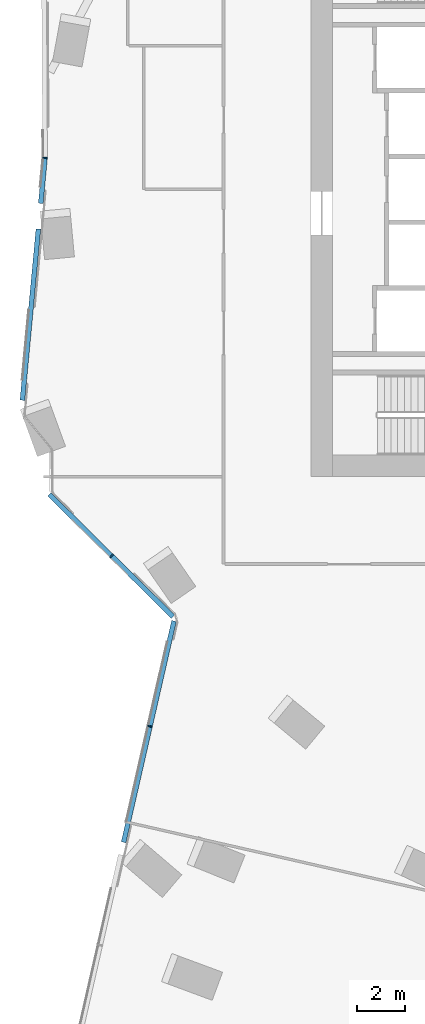
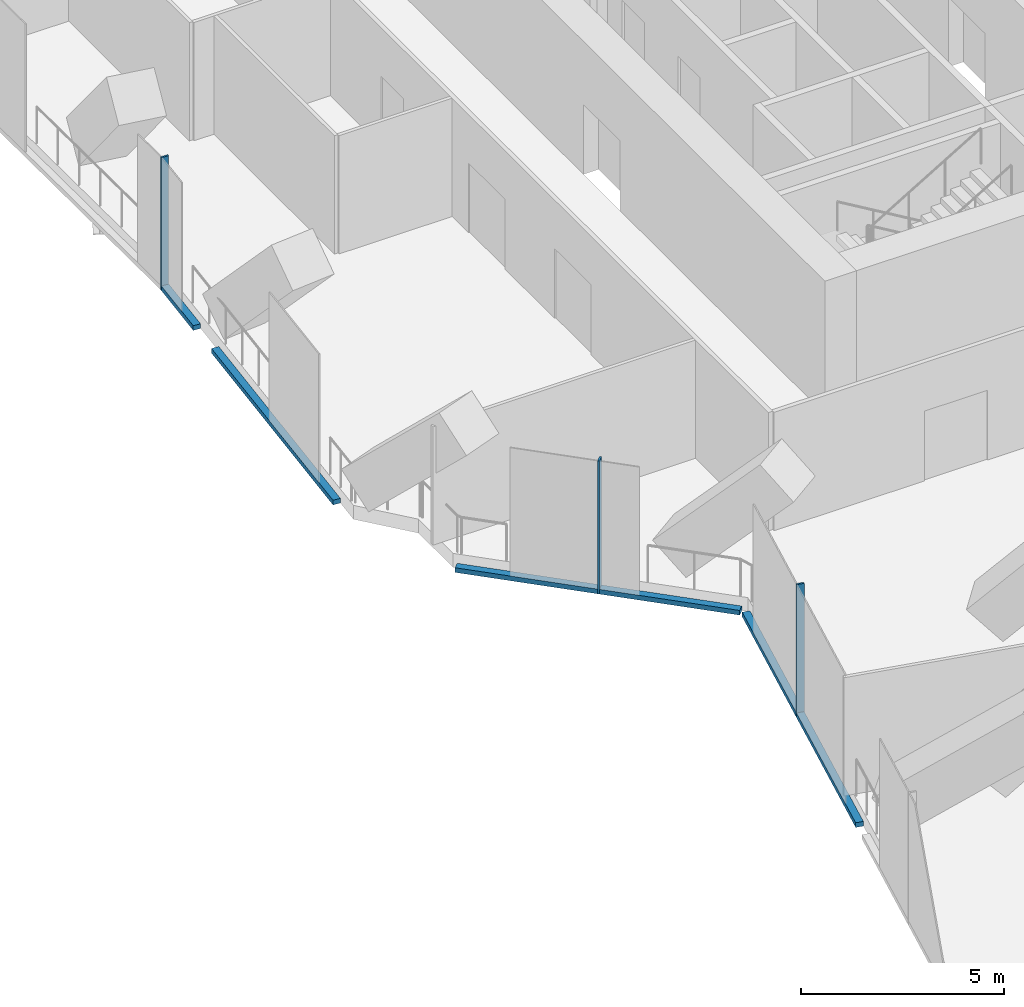
# One storey, part 6 of 29: 7 members, 4 elements without a shape of their own.
"""IFC4 building model written with IfcOpenShell, lengths in metres."""

from ifc_helpers import new_model, si_unit, direction, frame, origin, origin_2d, place, context, subcontext, project, spatial, rectangle, extrude, material, material_profile, profile_set, type_object, element, aggregate, save


model = new_model("IFC4")

# Units and contexts
model_context = context("Model", 3, precision=1e-05, world=origin(), true_north=direction((0.0, 1.0)))
body_context = subcontext(model_context, "Body", "Model", "MODEL_VIEW")
ifc_project = project(units=[si_unit("LENGTHUNIT", "METRE"), si_unit("AREAUNIT", "SQUARE_METRE"), si_unit("VOLUMEUNIT", "CUBIC_METRE"), si_unit("PLANEANGLEUNIT", "RADIAN"), si_unit("MASSUNIT", "GRAM", prefix="KILO")], contexts=[model_context])

# Site, building, storey
site_placement = place(None, origin())
site = spatial("IfcSite", under=ifc_project, at=site_placement, CompositionType="ELEMENT")
building_placement = place(site_placement, origin())
building = spatial("IfcBuilding", under=site, at=building_placement, Name="Orlundy Tower", CompositionType="ELEMENT")
storey_placement = place(building_placement, frame((0.0, 0.0, 184.60009765625)))
storey = spatial("IfcBuildingStorey", under=building, at=storey_placement, Name="L48", CompositionType="ELEMENT", Elevation=184.60009765625)

# Curtain wall, member
ifc_material_1 = material(Name="Aluminium bronze anodised", Category="aluminium")
curtain_wall_type = type_object("IfcCurtainWallType", Name="CW5 wall", PredefinedType="NOTDEFINED", material=ifc_material_1)
curtain_wall_1_placement = place(storey_placement, origin())
curtain_wall_1 = element("IfcCurtainWall", 1, at=curtain_wall_1_placement, inside=storey, type_object=curtain_wall_type, Name="CW5 run 00", PredefinedType="NOTDEFINED")
ifc_material_2 = material(Name="Aluminium bronze anodised", Category="aluminium")
ifc_material_profile_1 = material_profile(ifc_material_2, rectangle(XDim=0.199951171875, YDim=0.050048828125, at=origin_2d()), Name="CW5 mullion 50x200")
ifc_profile_set_1 = profile_set([ifc_material_profile_1], Name="Aluminium bronze anodised")
member_type_1 = type_object("IfcMemberType", Name="CW5 mullion 50x200", PredefinedType="MULLION", material=ifc_profile_set_1)
member_1_placement = place(storey_placement, frame((-27.326904296875, -15.3115234375, -0.420166015625), z_axis=(0.0, 0.0, 1.0), x_axis=(-0.702966683087, -0.711222779774, 0.0)))
member_1 = element("IfcMember", 2, at=member_1_placement, type_object=member_type_1, Name="CW5 mullion 2", PredefinedType="MULLION", context=body_context, shape_type="SweptSolid", body=[
    extrude(rectangle(XDim=0.199951171875, YDim=0.050048828125, at=origin_2d()), origin(), (0.0, 0.0, 1.0), 4.0),
])

curtain_wall_2_placement = place(storey_placement, origin())
curtain_wall_2 = element("IfcCurtainWall", 3, at=curtain_wall_2_placement, inside=storey, type_object=curtain_wall_type, Name="CW5 run 04", PredefinedType="NOTDEFINED")
member_2_placement = place(storey_placement, frame((-30.10791015625, 1.3134765625, -0.420166015625), z_axis=(0.0, 0.0, 1.0), x_axis=(-0.999048702031, 0.043608381888, 0.0)))
member_2 = element("IfcMember", 4, at=member_2_placement, type_object=member_type_1, Name="CW5 mullion 7", PredefinedType="MULLION", context=body_context, shape_type="SweptSolid", body=[
    extrude(rectangle(XDim=0.199951171875, YDim=0.050048828125, at=origin_2d()), origin(), (0.0, 0.0, 1.0), 4.0),
])
aggregate(curtain_wall_2, [member_2])

curtain_wall_3_placement = place(storey_placement, origin())
curtain_wall_3 = element("IfcCurtainWall", 5, at=curtain_wall_3_placement, inside=storey, type_object=curtain_wall_type, Name="CW5 run 044", PredefinedType="NOTDEFINED")
member_3_placement = place(storey_placement, frame((-25.723876953125, -22.425048828125, -0.420166015625), z_axis=(0.0, 0.0, 1.0), x_axis=(-0.975026493894, 0.222088577386, 0.0)))
member_3 = element("IfcMember", 6, at=member_3_placement, type_object=member_type_1, Name="CW5 mullion 69", PredefinedType="MULLION", context=body_context, shape_type="SweptSolid", body=[
    extrude(rectangle(XDim=0.199951171875, YDim=0.050048828125, at=origin_2d()), origin(), (0.0, 0.0, 1.0), 4.0),
])

# Member
ifc_material_3 = material(Name="Aluminium bronze anodised", Category="aluminium")
ifc_material_profile_2 = material_profile(ifc_material_3, rectangle(XDim=0.199951171875, YDim=0.139892578125, at=origin_2d()), Name="CW5 transom 200x140")
ifc_profile_set_2 = profile_set([ifc_material_profile_2], Name="Aluminium bronze anodised")
member_type_2 = type_object("IfcMemberType", Name="CW5 transom 200x140", PredefinedType="USERDEFINED", material=ifc_profile_set_2)
member_4_placement = place(storey_placement, frame((-24.76708984375, -17.841796875, -0.35009765625), z_axis=(-0.711217616077, 0.702971907392, 0.0), x_axis=(-0.702971907392, -0.711217616077, 0.0)))
member_4 = element("IfcMember", 7, at=member_4_placement, type_object=member_type_2, Name="CW5 transom", ObjectType="TRANSOM", PredefinedType="USERDEFINED", context=body_context, shape_type="SweptSolid", body=[
    extrude(rectangle(XDim=0.199951171875, YDim=0.139892578125, at=origin_2d()), origin(), (0.0, 0.0, 1.0), 7.25390625),
])

aggregate(curtain_wall_1, [member_1, member_4])

# Curtain wall, members
curtain_wall_4_placement = place(storey_placement, origin())
curtain_wall_4 = element("IfcCurtainWall", 8, at=curtain_wall_4_placement, inside=storey, type_object=curtain_wall_type, Name="CW5 run 03", PredefinedType="NOTDEFINED")
member_5_placement = place(storey_placement, frame((-31.052978515625, -8.80712890625, -0.35009765625), z_axis=(0.092984726787, 0.995667535166, 0.0), x_axis=(-0.995667535166, 0.092984726787, 0.0)))
member_5 = element("IfcMember", 9, at=member_5_placement, type_object=member_type_2, Name="CW5 transom", ObjectType="TRANSOM", PredefinedType="USERDEFINED", context=body_context, shape_type="SweptSolid", body=[
    extrude(rectangle(XDim=0.199951171875, YDim=0.139892578125, at=origin_2d()), origin(), (0.0, 0.0, 1.0), 7.180908203125),
])
member_6_placement = place(storey_placement, frame((-30.285400390625, -0.58642578125, -0.35009765625), z_axis=(0.092967157061, 0.995669175835, 0.0), x_axis=(-0.995669175835, 0.092967157061, 0.0)))
member_6 = element("IfcMember", 10, at=member_6_placement, type_object=member_type_2, Name="CW5 transom", ObjectType="TRANSOM", PredefinedType="USERDEFINED", context=body_context, shape_type="SweptSolid", body=[
    extrude(rectangle(XDim=0.199951171875, YDim=0.139892578125, at=origin_2d()), origin(), (0.0, 0.0, 1.0), 1.8828125),
])
aggregate(curtain_wall_4, [member_5, member_6])

# Member
member_7_placement = place(storey_placement, frame((-26.82666015625, -27.26708984375, -0.35009765625), z_axis=(0.222090961786, 0.975025950779, 0.0), x_axis=(-0.975025950779, 0.222090961786, 0.0)))
member_7 = element("IfcMember", 11, at=member_7_placement, type_object=member_type_2, Name="CW5 transom", ObjectType="TRANSOM", PredefinedType="USERDEFINED", context=body_context, shape_type="SweptSolid", body=[
    extrude(rectangle(XDim=0.199951171875, YDim=0.139892578125, at=origin_2d()), origin(), (0.0, 0.0, 1.0), 9.476806640625),
])

aggregate(curtain_wall_3, [member_3, member_7])

save(model, "model.ifc")
